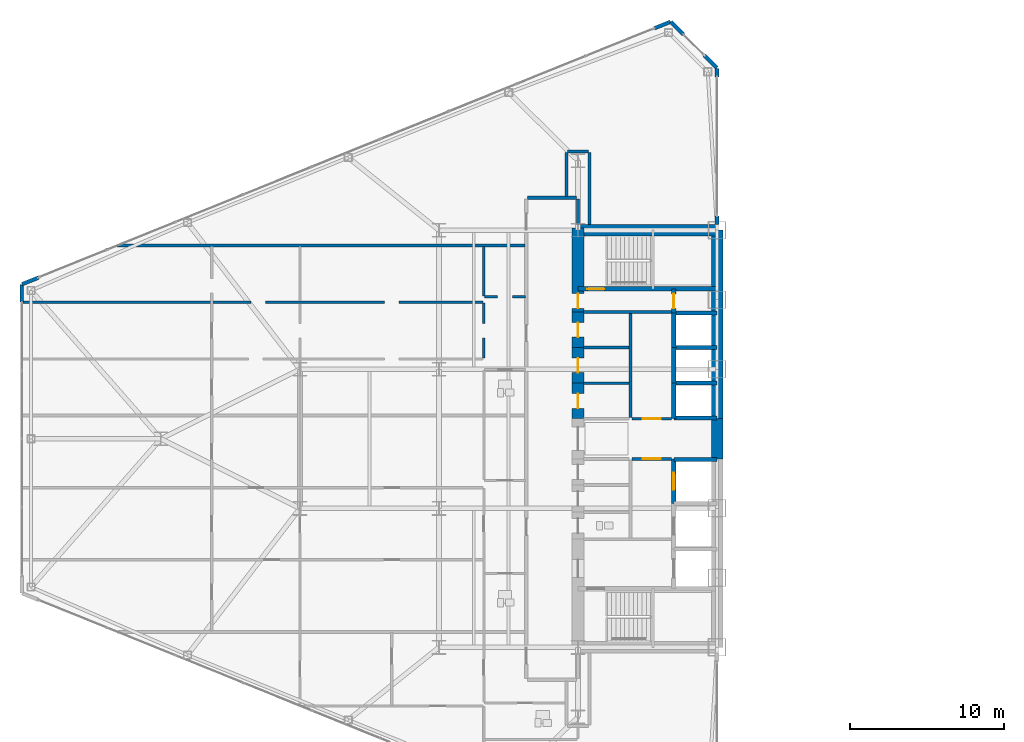
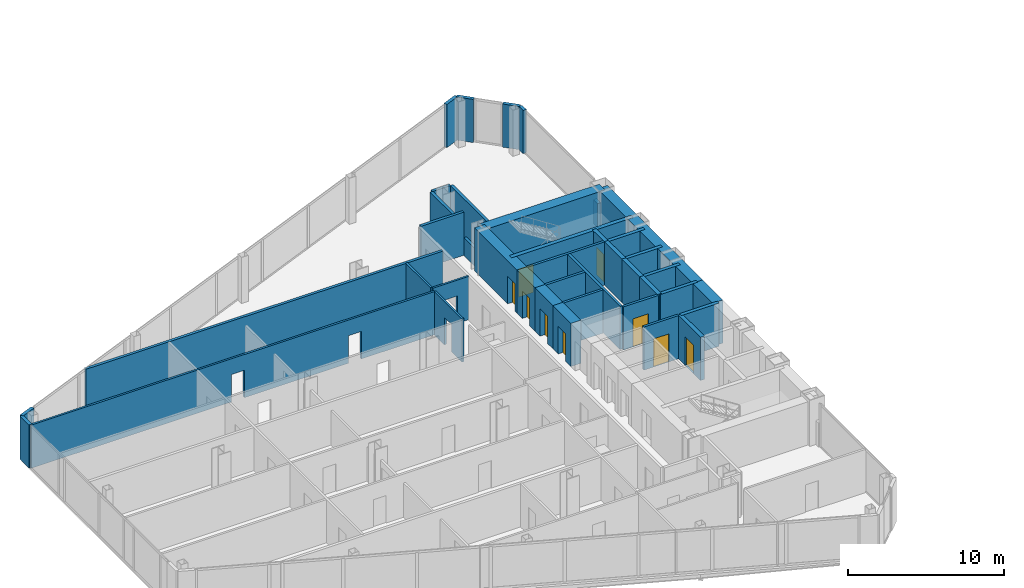
# One storey, part 19 of 25: 41 walls, 9 doors, 13 openings.
"""IFC4 building model written with IfcOpenShell, lengths in metres."""

from ifc_helpers import new_model, si_unit, direction, frame, frame_2d, origin, place, context, subcontext, project, spatial, rectangle, extrude, source, transform, mapped, material, layer, layer_set, type_object, type_shapes, element, fill, save


model = new_model("IFC4")

# Units and contexts
model_context = context("Model", 3, precision=1e-05, world=origin(), true_north=direction((0.0, 1.0)))
body_context = subcontext(model_context, "Body", "Model", "MODEL_VIEW")
ifc_project = project(units=[si_unit("LENGTHUNIT", "METRE"), si_unit("AREAUNIT", "SQUARE_METRE"), si_unit("VOLUMEUNIT", "CUBIC_METRE"), si_unit("PLANEANGLEUNIT", "RADIAN"), si_unit("MASSUNIT", "GRAM", prefix="KILO")], contexts=[model_context])

# Site, building, storey
site_placement = place(None, origin())
site = spatial("IfcSite", under=ifc_project, at=site_placement, CompositionType="ELEMENT")
building_placement = place(site_placement, origin())
building = spatial("IfcBuilding", under=site, at=building_placement, Name="Seokmaru Belvedere", CompositionType="ELEMENT")
storey_placement = place(building_placement, frame((0.0, 0.0, 58.5)))
storey = spatial("IfcBuildingStorey", under=building, at=storey_placement, Name="L15", CompositionType="ELEMENT", Elevation=58.5)

# Wall, openings
ifc_material_1 = material(Name="Fire-Rated Gypsum Shaftwall")
ifc_layer_1 = layer(ifc_material_1, 0.14990234375)
ifc_layer_set_1 = layer_set([ifc_layer_1], Name="Fire-Rated Gypsum Shaftwall")
wall_type_1 = type_object("IfcWallType", Name="Apartment Fire-Acoustic Room Partition 150", PredefinedType="PARTITIONING", material=ifc_layer_set_1)
wall_1_placement = place(storey_placement, frame((-72.534912109375, 8.830078125, 0.0), z_axis=(0.0, 0.0, 1.0), x_axis=(1.0, 0.0, 0.0)))
wall_1 = element("IfcWall", 1, at=wall_1_placement, inside=storey, type_object=wall_type_1, Name="L15 Interior Partition 023", PredefinedType="PARTITIONING", context=body_context, shape_type="SweptSolid", body=[
    extrude(rectangle(XDim=29.885009765625, YDim=0.14990234375, at=frame_2d((14.9423828125, 0.0))), origin(), (0.0, 0.0, 1.0), 3.3798828125),
])
opening_1_placement = place(wall_1_placement, frame((23.510009765625, 0.0, 0.0)))
element("IfcOpeningElement", 2, at=opening_1_placement, cuts=wall_1, Name="L15 Cased Opening 028", PredefinedType="OPENING", context=body_context, shape_type="SweptSolid", body=[
    extrude(rectangle(XDim=0.949951171875, YDim=2.14990234375, at=frame_2d((0.47509765625, 1.074951171875))), frame((0.0, 0.0849609375, 0.0), z_axis=(0.0, -1.0, 0.0), x_axis=(1.0, 0.0, 0.0)), (0.0, 0.0, 1.0), 0.169921875),
])
opening_2_placement = place(wall_1_placement, frame((14.85595703125, 0.0, 0.0)))
element("IfcOpeningElement", 3, at=opening_2_placement, cuts=wall_1, Name="L15 Cased Opening 032", PredefinedType="OPENING", context=body_context, shape_type="SweptSolid", body=[
    extrude(rectangle(XDim=0.949951171875, YDim=2.14990234375, at=frame_2d((0.47509765625, 1.074951171875))), frame((0.0, 0.0849609375, 0.0), z_axis=(0.0, -1.0, 0.0), x_axis=(1.0, 0.0, 0.0)), (0.0, 0.0, 1.0), 0.169921875),
])

# Wall, opening
wall_2_placement = place(storey_placement, frame((-42.550048828125, 9.199951171875, 0.0), z_axis=(0.0, 0.0, 1.0), x_axis=(1.0, 0.0, 0.0)))
wall_2 = element("IfcWall", 4, at=wall_2_placement, inside=storey, type_object=wall_type_1, Name="L15 Interior Partition 024", PredefinedType="PARTITIONING", context=body_context, shape_type="SweptSolid", body=[
    extrude(rectangle(XDim=2.650146484375, YDim=0.14990234375, at=frame_2d((1.3251953125, 0.0))), origin(), (0.0, 0.0, 1.0), 3.3798828125),
])
opening_3_placement = place(wall_2_placement, frame((0.85009765625, 0.0, 0.0)))
element("IfcOpeningElement", 5, at=opening_3_placement, cuts=wall_2, Name="L15 Cased Opening 024", PredefinedType="OPENING", context=body_context, shape_type="SweptSolid", body=[
    extrude(rectangle(XDim=0.949951171875, YDim=2.14990234375, at=frame_2d((0.47509765625, 1.074951171875))), frame((0.0, 0.0849609375, 0.0), z_axis=(0.0, -1.0, 0.0), x_axis=(1.0, 0.0, 0.0)), (0.0, 0.0, 1.0), 0.169921875),
])

wall_3_placement = place(storey_placement, frame((-42.60009765625, 5.217041015625, 0.0), z_axis=(0.0, 0.0, 1.0), x_axis=(0.0, 1.0, 0.0)))
wall_3 = element("IfcWall", 6, at=wall_3_placement, inside=storey, type_object=wall_type_1, Name="L15 Interior Partition 042", PredefinedType="PARTITIONING", context=body_context, shape_type="SweptSolid", body=[
    extrude(rectangle(XDim=3.56591796875, YDim=0.14990234375, at=frame_2d((1.782958984375, 0.0))), origin(), (0.0, 0.0, 1.0), 3.3798828125),
])
opening_4_placement = place(wall_3_placement, frame((1.30810546875, 0.0, 0.0)))
element("IfcOpeningElement", 7, at=opening_4_placement, cuts=wall_3, Name="L15 Cased Opening 025", PredefinedType="OPENING", context=body_context, shape_type="SweptSolid", body=[
    extrude(rectangle(XDim=0.949951171875, YDim=2.14990234375, at=frame_2d((0.47509765625, 1.074951171875))), frame((0.0, 0.0849609375, 0.0), z_axis=(0.0, -1.0, 0.0), x_axis=(1.0, 0.0, 0.0)), (0.0, 0.0, 1.0), 0.169921875),
])

# Walls
wall_4_placement = place(storey_placement, frame((-42.60009765625, 9.251953125, 0.0), z_axis=(0.0, 0.0, 1.0), x_axis=(0.0, 1.0, 0.0)))
element("IfcWall", 8, at=wall_4_placement, inside=storey, type_object=wall_type_1, Name="L15 Interior Partition 043", PredefinedType="PARTITIONING", context=body_context, shape_type="SweptSolid", body=[
    extrude(rectangle(XDim=3.197998046875, YDim=0.14990234375, at=frame_2d((1.59912109375, 0.0))), origin(), (0.0, 0.0, 1.0), 3.3798828125),
])
ifc_layer_2 = layer(ifc_material_1, 0.179931640625)
ifc_layer_set_2 = layer_set([ifc_layer_2], Name="Fire-Rated Gypsum Shaftwall")
wall_type_2 = type_object("IfcWallType", Name="Core Service Fire Partition 180", PredefinedType="PARTITIONING", material=ifc_layer_set_2)
wall_5_placement = place(storey_placement, frame((-36.14990234375, 8.199951171875, 0.0), z_axis=(0.0, 0.0, 1.0), x_axis=(1.0, 0.0, 0.0)))
element("IfcWall", 9, at=wall_5_placement, inside=storey, type_object=wall_type_2, Name="L15 West Smokeproof Vestibule Partition", PredefinedType="PARTITIONING", context=body_context, shape_type="SweptSolid", body=[
    extrude(rectangle(XDim=5.699951171875, YDim=0.179931640625, at=frame_2d((2.85009765625, 0.0))), origin(), (0.0, 0.0, 1.0), 3.3798828125),
])
wall_6_placement = place(storey_placement, frame((-33.10009765625, 1.3798828125, 0.0), z_axis=(0.0, 0.0, 1.0), x_axis=(0.0, 1.0, 0.0)))
element("IfcWall", 10, at=wall_6_placement, inside=storey, type_object=wall_type_2, Name="L15 West North Core Service Back Wall", PredefinedType="PARTITIONING", context=body_context, shape_type="SweptSolid", body=[
    extrude(rectangle(XDim=6.740234375, YDim=0.179931640625, at=frame_2d((3.3701171875, 0.0))), origin(), (0.0, 0.0, 1.0), 3.3798828125),
])

# Wall, opening, door
wall_7_placement = place(storey_placement, frame((-33.02001953125, -1.300048828125, 0.0), z_axis=(0.0, 0.0, 1.0), x_axis=(1.0, 0.0, 0.0)))
wall_7 = element("IfcWall", 11, at=wall_7_placement, inside=storey, type_object=wall_type_2, Name="L15 West South Lift Lobby Foyer Wall", PredefinedType="PARTITIONING", context=body_context, shape_type="SweptSolid", body=[
    extrude(rectangle(XDim=2.570068359375, YDim=0.179931640625, at=frame_2d((1.28515625, 0.0))), origin(), (0.0, 0.0, 1.0), 3.3798828125),
])
opening_5_placement = place(wall_7_placement, frame((0.7099609375, 0.0, 0.0)))
opening_5 = element("IfcOpeningElement", 12, at=opening_5_placement, cuts=wall_7, Name="Opening D02", PredefinedType="OPENING", context=body_context, shape_type="SweptSolid", body=[
    extrude(rectangle(XDim=1.14990234375, YDim=2.199951171875, at=frame_2d((0.574951171875, 1.10009765625))), frame((0.0, 0.10009765625, 0.0), z_axis=(0.0, -1.0, 0.0), x_axis=(1.0, 0.0, 0.0)), (0.0, 0.0, 1.0), 0.199951171875),
])
ifc_material_2 = material(Name="Fire-Rated Steel Leaf", Category="steel")
door_type_1 = type_object("IfcDoorType", Name="Lobby and Vestibule Fire Door 1150x2200", OperationType="NOTDEFINED", PredefinedType="DOOR", material=ifc_material_2)
shared_shape_1 = source(origin(), body_context, "Body", "SweptSolid", [
    extrude(rectangle(XDim=1.14990234375, YDim=2.199951171875, at=frame_2d((0.574951171875, 1.10009765625))), frame((0.0, 0.02490234375, 0.0), z_axis=(0.0, -1.0, 0.0), x_axis=(1.0, 0.0, 0.0)), (0.0, 0.0, 1.0), 0.050048828125),
])
type_shapes(door_type_1, [shared_shape_1])
door_1_placement = place(opening_5_placement, origin())
door_1 = element("IfcDoor", 13, at=door_1_placement, inside=storey, type_object=door_type_1, Name="L15 West South Core Foyer Door", OperationType="SINGLE_SWING_LEFT", OverallHeight=2.199951171875, OverallWidth=1.14990234375, PredefinedType="DOOR", context=body_context, shape_type="MappedRepresentation", body=[
    mapped(shared_shape_1, transform((0.0, 0.0, 0.0), scale=1.0)),
])
fill(opening_5, door_1)

wall_8_placement = place(storey_placement, frame((-33.02001953125, 1.300048828125, 0.0), z_axis=(0.0, 0.0, 1.0), x_axis=(1.0, 0.0, 0.0)))
wall_8 = element("IfcWall", 14, at=wall_8_placement, inside=storey, type_object=wall_type_2, Name="L15 West North Lift Lobby Foyer Wall", PredefinedType="PARTITIONING", context=body_context, shape_type="SweptSolid", body=[
    extrude(rectangle(XDim=2.570068359375, YDim=0.179931640625, at=frame_2d((1.28515625, 0.0))), origin(), (0.0, 0.0, 1.0), 3.3798828125),
])
opening_6_placement = place(wall_8_placement, frame((0.7099609375, 0.0, 0.0)))
opening_6 = element("IfcOpeningElement", 15, at=opening_6_placement, cuts=wall_8, Name="Opening D02", PredefinedType="OPENING", context=body_context, shape_type="SweptSolid", body=[
    extrude(rectangle(XDim=1.14990234375, YDim=2.199951171875, at=frame_2d((0.574951171875, 1.10009765625))), frame((0.0, 0.10009765625, 0.0), z_axis=(0.0, -1.0, 0.0), x_axis=(1.0, 0.0, 0.0)), (0.0, 0.0, 1.0), 0.199951171875),
])
door_2_placement = place(opening_6_placement, origin())
door_2 = element("IfcDoor", 16, at=door_2_placement, inside=storey, type_object=door_type_1, Name="L15 West North Lift Lobby Door", OperationType="SINGLE_SWING_RIGHT", OverallHeight=2.199951171875, OverallWidth=1.14990234375, PredefinedType="DOOR", context=body_context, shape_type="MappedRepresentation", body=[
    mapped(shared_shape_1, transform((0.0, 0.0, 0.0), scale=1.0)),
])
fill(opening_6, door_2)

# Walls
for number, where, z_axis, x_axis, name in (
    (17, (-36.14990234375, 3.60009765625, 0.0), (0.0, 0.0, 1.0), (1.0, 0.0, 0.0), "L15 West Core Service Partition 3"),
    (18, (-36.14990234375, 5.89990234375, 0.0), (0.0, 0.0, 1.0), (1.0, 0.0, 0.0), "L15 West Core Service Partition 4"),
):
    element("IfcWall", number, at=place(storey_placement, frame(where, z_axis=z_axis, x_axis=x_axis)), inside=storey, type_object=wall_type_2, Name=name, PredefinedType="PARTITIONING", context=body_context, shape_type="SweptSolid", body=[
        extrude(rectangle(XDim=2.949951171875, YDim=0.179931640625, at=frame_2d((1.47509765625, 0.0))), origin(), (0.0, 0.0, 1.0), 3.3798828125),
    ])
ifc_material_3 = material(Name="Concrete C50 (50 MPa)", Category="concrete")
ifc_layer_3 = layer(ifc_material_3, 0.25)
ifc_layer_set_3 = layer_set([ifc_layer_3], Name="Concrete C50 (50 MPa)")
wall_type_3 = type_object("IfcWallType", Name="Hoistway Transverse Concrete Divider Wall 250", PredefinedType="SHEAR", material=ifc_layer_set_3)
for number, where, z_axis, x_axis, name in (
    (19, (-30.300048828125, -1.35009765625, 0.0), (0.0, 0.0, 1.0), (1.0, 0.0, 0.0), "L15 West Hoistway Divider Core Wall 3"),
    (20, (-30.300048828125, 1.35009765625, 0.0), (0.0, 0.0, 1.0), (1.0, 0.0, 0.0), "L15 West Hoistway Divider Core Wall 4"),
    (21, (-30.300048828125, 3.60009765625, 0.0), (0.0, 0.0, 1.0), (1.0, 0.0, 0.0), "L15 West Hoistway Divider Core Wall 5"),
    (22, (-30.300048828125, 5.89990234375, 0.0), (0.0, 0.0, 1.0), (1.0, 0.0, 0.0), "L15 West Hoistway Divider Core Wall 6"),
    (23, (-30.300048828125, 8.14990234375, 0.0), (0.0, 0.0, 1.0), (1.0, 0.0, 0.0), "L15 West Hoistway Divider Core Wall 7"),
):
    element("IfcWall", number, at=place(storey_placement, frame(where, z_axis=z_axis, x_axis=x_axis)), inside=storey, type_object=wall_type_3, Name=name, PredefinedType="SHEAR", context=body_context, shape_type="SweptSolid", body=[
        extrude(rectangle(XDim=2.800048828125, YDim=0.25, at=frame_2d((1.39990234375, 0.0))), origin(), (0.0, 0.0, 1.0), 3.3798828125),
    ])
ifc_layer_4 = layer(ifc_material_1, 0.199951171875)
ifc_layer_set_4 = layer_set([ifc_layer_4], Name="Fire-Rated Gypsum Shaftwall")
wall_type_4 = type_object("IfcWallType", Name="Inter-Tenancy Fire Compartment Partition 200", PredefinedType="PARTITIONING", material=ifc_layer_set_4)
wall_9_placement = place(storey_placement, frame((-66.3369140625, 12.5, 0.0), z_axis=(0.0, 0.0, 1.0), x_axis=(1.0, 0.0, 0.0)))
element("IfcWall", 24, at=wall_9_placement, inside=storey, type_object=wall_type_4, Name="L15 Interior Partition 026", PredefinedType="PARTITIONING", context=body_context, shape_type="SweptSolid", body=[
    extrude(rectangle(XDim=26.406982421875, YDim=0.199951171875, at=frame_2d((13.20361328125, 0.0))), origin(), (0.0, 0.0, 1.0), 3.3798828125),
])
wall_10_placement = place(storey_placement, frame((-39.764892578125, 15.60009765625, 0.0), z_axis=(0.0, 0.0, 1.0), x_axis=(1.0, 0.0, 0.0)))
element("IfcWall", 25, at=wall_10_placement, inside=storey, type_object=wall_type_4, Name="L15 Interior Partition 029", PredefinedType="PARTITIONING", context=body_context, shape_type="SweptSolid", body=[
    extrude(rectangle(XDim=3.179931640625, YDim=0.199951171875, at=frame_2d((1.58984375, 0.0))), origin(), (0.0, 0.0, 1.0), 3.3798828125),
])
wall_11_placement = place(storey_placement, frame((-37.1650390625, 18.60009765625, 0.0), z_axis=(0.0, 0.0, 1.0), x_axis=(1.0, 0.0, 0.0)))
element("IfcWall", 26, at=wall_11_placement, inside=storey, type_object=wall_type_4, Name="L15 Interior Partition 032", PredefinedType="PARTITIONING", context=body_context, shape_type="SweptSolid", body=[
    extrude(rectangle(XDim=1.330078125, YDim=0.199951171875, at=frame_2d((0.6650390625, 0.0))), origin(), (0.0, 0.0, 1.0), 3.3798828125),
])
wall_12_placement = place(storey_placement, frame((-37.25, 15.68505859375, 0.0), z_axis=(0.0, 0.0, 1.0), x_axis=(0.0, 1.0, 0.0)))
element("IfcWall", 27, at=wall_12_placement, inside=storey, type_object=wall_type_4, Name="L15 Interior Partition 046", PredefinedType="PARTITIONING", context=body_context, shape_type="SweptSolid", body=[
    extrude(rectangle(XDim=2.829833984375, YDim=0.199951171875, at=frame_2d((1.4150390625, 0.0))), origin(), (0.0, 0.0, 1.0), 3.3798828125),
])
wall_13_placement = place(storey_placement, frame((-36.5, 13.8798828125, 0.0), z_axis=(0.0, 0.0, 1.0), x_axis=(0.0, 1.0, 0.0)))
element("IfcWall", 28, at=wall_13_placement, inside=storey, type_object=wall_type_4, Name="L15 Interior Partition 050", PredefinedType="PARTITIONING", context=body_context, shape_type="SweptSolid", body=[
    extrude(rectangle(XDim=1.635009765625, YDim=0.199951171875, at=frame_2d((0.8173828125, 0.0))), origin(), (0.0, 0.0, 1.0), 1.3798828125),
])
wall_14_placement = place(storey_placement, frame((-35.75, 13.8798828125, 0.0), z_axis=(0.0, 0.0, 1.0), x_axis=(0.0, 1.0, 0.0)))
element("IfcWall", 29, at=wall_14_placement, inside=storey, type_object=wall_type_4, Name="L15 Interior Partition 052", PredefinedType="PARTITIONING", context=body_context, shape_type="SweptSolid", body=[
    extrude(rectangle(XDim=4.635009765625, YDim=0.199951171875, at=frame_2d((2.3173828125, 0.0))), origin(), (0.0, 0.0, 1.0), 3.3798828125),
])

# Wall, opening, door
ifc_layer_5 = layer(ifc_material_3, 0.300048828125)
ifc_layer_set_5 = layer_set([ifc_layer_5], Name="Concrete C50 (50 MPa)")
wall_type_5 = type_object("IfcWallType", Name="Internal Core Stair and Hoistway Wall 300", PredefinedType="SHEAR", material=ifc_layer_set_5)
wall_15_placement = place(storey_placement, frame((-36.5, 9.699951171875, 0.0), z_axis=(0.0, 0.0, 1.0), x_axis=(1.0, 0.0, 0.0)))
wall_15 = element("IfcWall", 30, at=wall_15_placement, inside=storey, type_object=wall_type_5, Name="L15 West Stair ST-2 Enclosure Wall", PredefinedType="SHEAR", context=body_context, shape_type="SweptSolid", body=[
    extrude(rectangle(XDim=9.0, YDim=0.300048828125, at=frame_2d((4.5, 0.0))), origin(), (0.0, 0.0, 1.0), 3.3798828125),
])
opening_7_placement = place(wall_15_placement, frame((0.60009765625, 0.0, 0.0)))
opening_7 = element("IfcOpeningElement", 31, at=opening_7_placement, cuts=wall_15, Name="Opening D01", PredefinedType="OPENING", context=body_context, shape_type="SweptSolid", body=[
    extrude(rectangle(XDim=1.10009765625, YDim=2.199951171875, at=frame_2d((0.550048828125, 1.10009765625))), frame((0.0, 0.16015625, 0.0), z_axis=(0.0, -1.0, 0.0), x_axis=(1.0, 0.0, 0.0)), (0.0, 0.0, 1.0), 0.320068359375),
])
door_type_2 = type_object("IfcDoorType", Name="Special Escape Stair Smokeproof Fire Door 1100x2200", OperationType="NOTDEFINED", PredefinedType="DOOR", material=ifc_material_2)
shared_shape_2 = source(origin(), body_context, "Body", "SweptSolid", [
    extrude(rectangle(XDim=1.10009765625, YDim=2.199951171875, at=frame_2d((0.550048828125, 1.10009765625))), frame((0.0, 0.02490234375, 0.0), z_axis=(0.0, -1.0, 0.0), x_axis=(1.0, 0.0, 0.0)), (0.0, 0.0, 1.0), 0.050048828125),
])
type_shapes(door_type_2, [shared_shape_2])
door_3_placement = place(opening_7_placement, origin())
door_3 = element("IfcDoor", 32, at=door_3_placement, inside=storey, type_object=door_type_2, Name="L15 West Special Escape Stair ST-2 Door", OperationType="SINGLE_SWING_RIGHT", OverallHeight=2.199951171875, OverallWidth=1.10009765625, PredefinedType="DOOR", context=body_context, shape_type="MappedRepresentation", body=[
    mapped(shared_shape_2, transform((0.0, 0.0, 0.0), scale=1.0)),
])
fill(opening_7, door_3)

wall_16_placement = place(storey_placement, frame((-30.300048828125, -4.199951171875, 0.0), z_axis=(0.0, 0.0, 1.0), x_axis=(0.0, 1.0, 0.0)))
wall_16 = element("IfcWall", 33, at=wall_16_placement, inside=storey, type_object=wall_type_5, Name="L15 West Low-Rise Lift PL-2 Front Wall", PredefinedType="SHEAR", context=body_context, shape_type="SweptSolid", body=[
    extrude(rectangle(XDim=2.8798828125, YDim=0.300048828125, at=frame_2d((1.43994140625, 0.0))), origin(), (0.0, 0.0, 1.0), 3.3798828125),
])
opening_8_placement = place(wall_16_placement, frame((0.889892578125, 0.0, 0.0)))
opening_8 = element("IfcOpeningElement", 34, at=opening_8_placement, cuts=wall_16, Name="Opening LD1", PredefinedType="OPENING", context=body_context, shape_type="SweptSolid", body=[
    extrude(rectangle(XDim=1.10009765625, YDim=2.199951171875, at=frame_2d((0.550048828125, 1.10009765625))), frame((0.0, 0.16015625, 0.0), z_axis=(0.0, -1.0, 0.0), x_axis=(1.0, 0.0, 0.0)), (0.0, 0.0, 1.0), 0.320068359375),
])
ifc_material_4 = material(Name="Stainless Steel 316", Category="steel")
door_type_3 = type_object("IfcDoorType", Name="Passenger Lift Sliding Landing Door 1100x2200", OperationType="DOUBLE_DOOR_SLIDING", PredefinedType="DOOR", material=ifc_material_4)
shared_shape_3 = source(origin(), body_context, "Body", "SweptSolid", [
    extrude(rectangle(XDim=1.10009765625, YDim=2.199951171875, at=frame_2d((0.550048828125, 1.10009765625))), frame((0.0, 0.02490234375, 0.0), z_axis=(0.0, -1.0, 0.0), x_axis=(1.0, 0.0, 0.0)), (0.0, 0.0, 1.0), 0.050048828125),
])
type_shapes(door_type_3, [shared_shape_3])
door_4_placement = place(opening_8_placement, origin())
door_4 = element("IfcDoor", 35, at=door_4_placement, inside=storey, type_object=door_type_3, Name="L15 West Low-Rise Lift PL-2 Landing Door", OperationType="DOUBLE_DOOR_SLIDING", OverallHeight=2.199951171875, OverallWidth=1.10009765625, PredefinedType="DOOR", context=body_context, shape_type="MappedRepresentation", body=[
    mapped(shared_shape_3, transform((0.0, 0.0, 0.0), scale=1.0)),
])
fill(opening_8, door_4)

# Walls
wall_17_placement = place(storey_placement, frame((-30.300048828125, 1.320068359375, 0.0), z_axis=(0.0, 0.0, 1.0), x_axis=(0.0, 1.0, 0.0)))
element("IfcWall", 36, at=wall_17_placement, inside=storey, type_object=wall_type_5, Name="L15 West North Hoistway Wall PH1", PredefinedType="SHEAR", context=body_context, shape_type="SweptSolid", body=[
    extrude(rectangle(XDim=2.280029296875, YDim=0.300048828125, at=frame_2d((1.14013671875, 0.0))), origin(), (0.0, 0.0, 1.0), 3.3798828125),
])
wall_18_placement = place(storey_placement, frame((-30.300048828125, 3.60009765625, 0.0), z_axis=(0.0, 0.0, 1.0), x_axis=(0.0, 1.0, 0.0)))
element("IfcWall", 37, at=wall_18_placement, inside=storey, type_object=wall_type_5, Name="L15 West North Hoistway Wall PH2", PredefinedType="SHEAR", context=body_context, shape_type="SweptSolid", body=[
    extrude(rectangle(XDim=2.2998046875, YDim=0.300048828125, at=frame_2d((1.14990234375, 0.0))), origin(), (0.0, 0.0, 1.0), 3.3798828125),
])
wall_19_placement = place(storey_placement, frame((-30.300048828125, 5.89990234375, 0.0), z_axis=(0.0, 0.0, 1.0), x_axis=(0.0, 1.0, 0.0)))
element("IfcWall", 38, at=wall_19_placement, inside=storey, type_object=wall_type_5, Name="L15 West North Hoistway Wall OBS", PredefinedType="SHEAR", context=body_context, shape_type="SweptSolid", body=[
    extrude(rectangle(XDim=2.25, YDim=0.300048828125, at=frame_2d((1.125, 0.0))), origin(), (0.0, 0.0, 1.0), 3.3798828125),
])

# Wall, opening, door
wall_20_placement = place(storey_placement, frame((-30.300048828125, 8.14990234375, 0.0), z_axis=(0.0, 0.0, 1.0), x_axis=(0.0, 1.0, 0.0)))
wall_20 = element("IfcWall", 39, at=wall_20_placement, inside=storey, type_object=wall_type_5, Name="L15 West Electrical Riser Front Wall", PredefinedType="SHEAR", context=body_context, shape_type="SweptSolid", body=[
    extrude(rectangle(XDim=1.530029296875, YDim=0.300048828125, at=frame_2d((0.76513671875, 0.0))), origin(), (0.0, 0.0, 1.0), 3.3798828125),
])
opening_9_placement = place(wall_20_placement, frame((0.284912109375, 0.0, 0.0)))
opening_9 = element("IfcOpeningElement", 40, at=opening_9_placement, cuts=wall_20, Name="Opening D04", PredefinedType="OPENING", context=body_context, shape_type="SweptSolid", body=[
    extrude(rectangle(XDim=0.949951171875, YDim=2.14990234375, at=frame_2d((0.47509765625, 1.074951171875))), frame((0.0, 0.16015625, 0.0), z_axis=(0.0, -1.0, 0.0), x_axis=(1.0, 0.0, 0.0)), (0.0, 0.0, 1.0), 0.320068359375),
])
door_type_4 = type_object("IfcDoorType", Name="Core Service Room Fire Door 950x2150", OperationType="NOTDEFINED", PredefinedType="DOOR", material=ifc_material_2)
shared_shape_4 = source(origin(), body_context, "Body", "SweptSolid", [
    extrude(rectangle(XDim=0.949951171875, YDim=2.14990234375, at=frame_2d((0.47509765625, 1.074951171875))), frame((0.0, 0.02490234375, 0.0), z_axis=(0.0, -1.0, 0.0), x_axis=(1.0, 0.0, 0.0)), (0.0, 0.0, 1.0), 0.050048828125),
])
type_shapes(door_type_4, [shared_shape_4])
door_5_placement = place(opening_9_placement, origin())
door_5 = element("IfcDoor", 41, at=door_5_placement, inside=storey, type_object=door_type_4, Name="L15 West Electrical Riser Access Door", OperationType="SINGLE_SWING_LEFT", OverallHeight=2.14990234375, OverallWidth=0.949951171875, PredefinedType="DOOR", context=body_context, shape_type="MappedRepresentation", body=[
    mapped(shared_shape_4, transform((0.0, 0.0, 0.0), scale=1.0)),
])
fill(opening_9, door_5)

# Walls
ifc_material_5 = material(Name="Concrete C60 (60 MPa)", Category="concrete")
ifc_layer_6 = layer(ifc_material_5, 0.75)
ifc_layer_set_6 = layer_set([ifc_layer_6], Name="Concrete C60 (60 MPa)")
wall_type_6 = type_object("IfcWallType", Name="Lower Tower Reinforced Concrete Core Wall 750", PredefinedType="SHEAR", material=ifc_layer_set_6)
wall_21_placement = place(storey_placement, frame((-27.5, 1.300048828125, 0.0), z_axis=(0.0, 0.0, 1.0), x_axis=(0.0, 1.0, 0.0)))
element("IfcWall", 42, at=wall_21_placement, inside=storey, type_object=wall_type_6, Name="L15 West Portal Spine Core Wall North", PredefinedType="SHEAR", context=body_context, shape_type="SweptSolid", body=[
    extrude(rectangle(XDim=12.199951171875, YDim=0.75, at=frame_2d((6.10009765625, 0.0))), origin(), (0.0, 0.0, 1.0), 3.3798828125),
])
wall_22_placement = place(storey_placement, frame((-27.5, -1.300048828125, 0.0), z_axis=(0.0, 0.0, 1.0), x_axis=(0.0, 1.0, 0.0)))
element("IfcWall", 43, at=wall_22_placement, inside=storey, type_object=wall_type_6, Name="L15 West Portal Spine Core Wall Center", PredefinedType="SHEAR", context=body_context, shape_type="SweptSolid", body=[
    extrude(rectangle(XDim=2.60009765625, YDim=0.75, at=frame_2d((1.300048828125, 0.0))), origin(), (0.0, 0.0, 1.0), 3.3798828125),
])
wall_23_placement = place(storey_placement, frame((-36.5, 13.5, 0.0), z_axis=(0.0, 0.0, 1.0), x_axis=(1.0, 0.0, 0.0)))
element("IfcWall", 44, at=wall_23_placement, inside=storey, type_object=wall_type_6, Name="L15 West North Core Wall", PredefinedType="SHEAR", context=body_context, shape_type="SweptSolid", body=[
    extrude(rectangle(XDim=9.0, YDim=0.75, at=frame_2d((4.5, 0.0))), origin(), (0.0, 0.0, 1.0), 3.3798828125),
])

# Wall, opening, door
wall_24_placement = place(storey_placement, frame((-36.5, 8.199951171875, 0.0), z_axis=(0.0, 0.0, 1.0), x_axis=(0.0, 1.0, 0.0)))
wall_24 = element("IfcWall", 45, at=wall_24_placement, inside=storey, type_object=wall_type_6, Name="L15 West West Core Wall VST", PredefinedType="SHEAR", context=body_context, shape_type="SweptSolid", body=[
    extrude(rectangle(XDim=5.449951171875, YDim=0.75, at=frame_2d((2.72509765625, 0.0))), origin(), (0.0, 0.0, 1.0), 3.3798828125),
])
opening_10_placement = place(wall_24_placement, frame((0.2451171875, 0.0, 0.0)))
opening_10 = element("IfcOpeningElement", 46, at=opening_10_placement, cuts=wall_24, Name="Opening D04", PredefinedType="OPENING", context=body_context, shape_type="SweptSolid", body=[
    extrude(rectangle(XDim=0.949951171875, YDim=2.14990234375, at=frame_2d((0.47509765625, 1.074951171875))), frame((0.0, 0.385009765625, 0.0), z_axis=(0.0, -1.0, 0.0), x_axis=(1.0, 0.0, 0.0)), (0.0, 0.0, 1.0), 0.77001953125),
])
door_6_placement = place(opening_10_placement, frame((0.949951171875, 0.0, 0.0), z_axis=(0.0, 0.0, 1.0), x_axis=(-1.0, 0.0, 0.0)))
door_6 = element("IfcDoor", 47, at=door_6_placement, inside=storey, type_object=door_type_4, Name="L15 West Smokeproof Vestibule Door", OperationType="SINGLE_SWING_RIGHT", OverallHeight=2.14990234375, OverallWidth=0.949951171875, PredefinedType="DOOR", context=body_context, shape_type="MappedRepresentation", body=[
    mapped(shared_shape_4, transform((0.0, 0.0, 0.0), scale=1.0)),
])
fill(opening_10, door_6)

wall_25_placement = place(storey_placement, frame((-36.5, 1.300048828125, 0.0), z_axis=(0.0, 0.0, 1.0), x_axis=(0.0, 1.0, 0.0)))
wall_25 = element("IfcWall", 48, at=wall_25_placement, inside=storey, type_object=wall_type_6, Name="L15 West West Core Wall CS4", PredefinedType="SHEAR", context=body_context, shape_type="SweptSolid", body=[
    extrude(rectangle(XDim=2.300048828125, YDim=0.75, at=frame_2d((1.14990234375, 0.0))), origin(), (0.0, 0.0, 1.0), 3.3798828125),
])
opening_11_placement = place(wall_25_placement, frame((0.675048828125, 0.0, 0.0)))
opening_11 = element("IfcOpeningElement", 49, at=opening_11_placement, cuts=wall_25, Name="Opening D04", PredefinedType="OPENING", context=body_context, shape_type="SweptSolid", body=[
    extrude(rectangle(XDim=0.949951171875, YDim=2.14990234375, at=frame_2d((0.47509765625, 1.074951171875))), frame((0.0, 0.385009765625, 0.0), z_axis=(0.0, -1.0, 0.0), x_axis=(1.0, 0.0, 0.0)), (0.0, 0.0, 1.0), 0.77001953125),
])
door_7_placement = place(opening_11_placement, origin())
door_7 = element("IfcDoor", 50, at=door_7_placement, inside=storey, type_object=door_type_4, Name="L15 West Core Service Room Door 4", OperationType="SINGLE_SWING_RIGHT", OverallHeight=2.14990234375, OverallWidth=0.949951171875, PredefinedType="DOOR", context=body_context, shape_type="MappedRepresentation", body=[
    mapped(shared_shape_4, transform((0.0, 0.0, 0.0), scale=1.0)),
])
fill(opening_11, door_7)

wall_26_placement = place(storey_placement, frame((-36.5, 3.60009765625, 0.0), z_axis=(0.0, 0.0, 1.0), x_axis=(0.0, 1.0, 0.0)))
wall_26 = element("IfcWall", 51, at=wall_26_placement, inside=storey, type_object=wall_type_6, Name="L15 West West Core Wall CS5", PredefinedType="SHEAR", context=body_context, shape_type="SweptSolid", body=[
    extrude(rectangle(XDim=2.2998046875, YDim=0.75, at=frame_2d((1.14990234375, 0.0))), origin(), (0.0, 0.0, 1.0), 3.3798828125),
])
opening_12_placement = place(wall_26_placement, frame((0.675048828125, 0.0, 0.0)))
opening_12 = element("IfcOpeningElement", 52, at=opening_12_placement, cuts=wall_26, Name="Opening D04", PredefinedType="OPENING", context=body_context, shape_type="SweptSolid", body=[
    extrude(rectangle(XDim=0.949951171875, YDim=2.14990234375, at=frame_2d((0.47509765625, 1.074951171875))), frame((0.0, 0.385009765625, 0.0), z_axis=(0.0, -1.0, 0.0), x_axis=(1.0, 0.0, 0.0)), (0.0, 0.0, 1.0), 0.77001953125),
])
door_8_placement = place(opening_12_placement, origin())
door_8 = element("IfcDoor", 53, at=door_8_placement, inside=storey, type_object=door_type_4, Name="L15 West Core Service Room Door 5", OperationType="SINGLE_SWING_LEFT", OverallHeight=2.14990234375, OverallWidth=0.949951171875, PredefinedType="DOOR", context=body_context, shape_type="MappedRepresentation", body=[
    mapped(shared_shape_4, transform((0.0, 0.0, 0.0), scale=1.0)),
])
fill(opening_12, door_8)

wall_27_placement = place(storey_placement, frame((-36.5, 5.89990234375, 0.0), z_axis=(0.0, 0.0, 1.0), x_axis=(0.0, 1.0, 0.0)))
wall_27 = element("IfcWall", 54, at=wall_27_placement, inside=storey, type_object=wall_type_6, Name="L15 West West Core Wall CS6", PredefinedType="SHEAR", context=body_context, shape_type="SweptSolid", body=[
    extrude(rectangle(XDim=2.300048828125, YDim=0.75, at=frame_2d((1.14990234375, 0.0))), origin(), (0.0, 0.0, 1.0), 3.3798828125),
])
opening_13_placement = place(wall_27_placement, frame((0.675048828125, 0.0, 0.0)))
opening_13 = element("IfcOpeningElement", 55, at=opening_13_placement, cuts=wall_27, Name="Opening D04", PredefinedType="OPENING", context=body_context, shape_type="SweptSolid", body=[
    extrude(rectangle(XDim=0.949951171875, YDim=2.14990234375, at=frame_2d((0.47509765625, 1.074951171875))), frame((0.0, 0.385009765625, 0.0), z_axis=(0.0, -1.0, 0.0), x_axis=(1.0, 0.0, 0.0)), (0.0, 0.0, 1.0), 0.77001953125),
])
door_9_placement = place(opening_13_placement, origin())
door_9 = element("IfcDoor", 56, at=door_9_placement, inside=storey, type_object=door_type_4, Name="L15 West Core Service Room Door 6", OperationType="SINGLE_SWING_RIGHT", OverallHeight=2.14990234375, OverallWidth=0.949951171875, PredefinedType="DOOR", context=body_context, shape_type="MappedRepresentation", body=[
    mapped(shared_shape_4, transform((0.0, 0.0, 0.0), scale=1.0)),
])
fill(opening_13, door_9)

# Walls
ifc_material_6 = material(Name="Anodised Bronze Aluminium", Category="aluminium")
ifc_layer_7 = layer(ifc_material_6, 0.239990234375)
ifc_layer_set_7 = layer_set([ifc_layer_7], Name="Anodised Bronze Aluminium")
wall_type_7 = type_object("IfcWallType", Name="Tower Corner Spandrel Closure Wall 240", PredefinedType="SOLIDWALL", material=ifc_layer_set_7)
wall_28_placement = place(storey_placement, frame((-27.5, 13.8798828125, 0.0), z_axis=(0.0, 0.0, 1.0), x_axis=(0.0, 1.0, 0.0)))
element("IfcWall", 57, at=wall_28_placement, inside=storey, type_object=wall_type_7, Name="L15 W Spine Closure Pier 2A", PredefinedType="SOLIDWALL", context=body_context, shape_type="SweptSolid", body=[
    extrude(rectangle(XDim=0.550048828125, YDim=0.239990234375, at=frame_2d((0.27490234375, 0.0))), origin(), (0.0, 0.0, 1.0), 1.8798828125),
])
wall_29_placement = place(storey_placement, frame((-27.5, 23.429931640625, 0.0), z_axis=(0.0, 0.0, 1.0), x_axis=(0.0, 1.0, 0.0)))
element("IfcWall", 58, at=wall_29_placement, inside=storey, type_object=wall_type_7, Name="L15 W Spine Closure Pier 2B", PredefinedType="SOLIDWALL", context=body_context, shape_type="SweptSolid", body=[
    extrude(rectangle(XDim=0.550048828125, YDim=0.239990234375, at=frame_2d((0.27490234375, 0.0))), origin(), (0.0, 0.0, 1.0), 3.3798828125),
])
for number, where, z_axis, x_axis, name in (
    (59, (-27.507080078125, 24.007080078125, 0.0), (0.0, 0.0, 1.0), (-0.707106781187, 0.707106781187, 0.0), "L15 W Corner Closure Pier 2A"),
    (60, (-29.686767578125, 26.186767578125, 0.0), (0.0, 0.0, 1.0), (-0.707106781187, 0.707106781187, 0.0), "L15 W Corner Closure Pier 2B"),
):
    element("IfcWall", number, at=place(storey_placement, frame(where, z_axis=z_axis, x_axis=x_axis)), inside=storey, type_object=wall_type_7, Name=name, PredefinedType="SOLIDWALL", context=body_context, shape_type="SweptSolid", body=[
        extrude(rectangle(XDim=1.14013671875, YDim=0.239990234375, at=frame_2d((0.570068359375, 0.0))), origin(), (0.0, 0.0, 1.0), 3.3798828125),
    ])
for number, where, z_axis, x_axis, name in (
    (61, (-30.50927734375, 26.99609375, 0.0), (0.0, 0.0, 1.0), (-0.927007103665, -0.375043770452, 0.0), "L15 W Corner Closure Pier 3A"),
    (62, (-71.43408203125, 10.431396484375, 0.0), (0.0, 0.0, 1.0), (-0.927007103665, -0.375043770452, 0.0), "L15 W Corner Closure Pier 3B"),
    (63, (-72.5, 9.989990234375, 0.0), (0.0, 0.0, 1.0), (0.0, -1.0, 0.0), "L15 W Corner Closure Pier 4A"),
):
    element("IfcWall", number, at=place(storey_placement, frame(where, z_axis=z_axis, x_axis=x_axis)), inside=storey, type_object=wall_type_7, Name=name, PredefinedType="SOLIDWALL", context=body_context, shape_type="SweptSolid", body=[
        extrude(rectangle(XDim=1.139892578125, YDim=0.239990234375, at=frame_2d((0.56982421875, 0.0))), origin(), (0.0, 0.0, 1.0), 3.3798828125),
    ])

save(model, "model.ifc")
